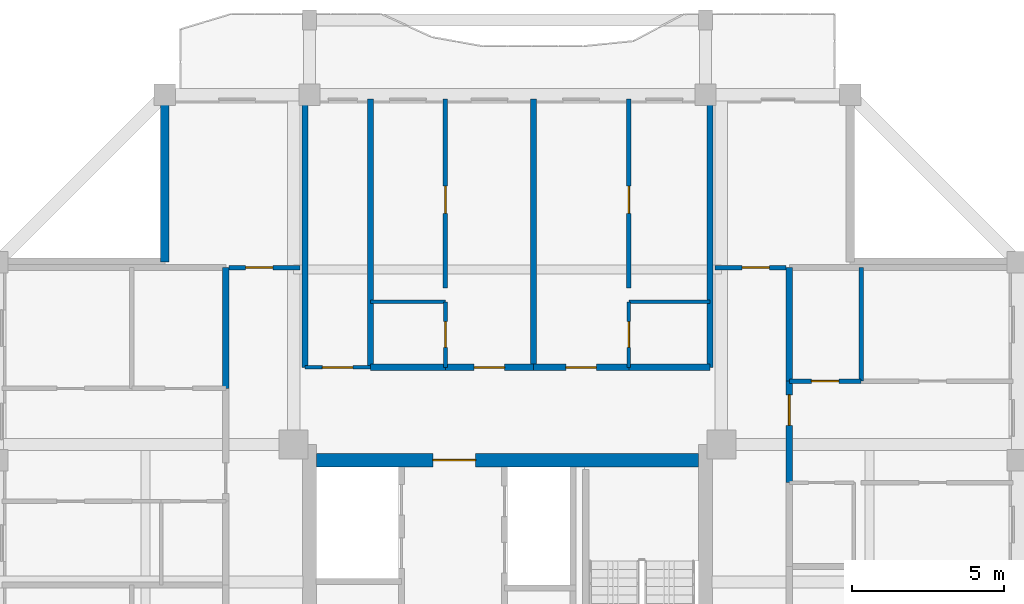
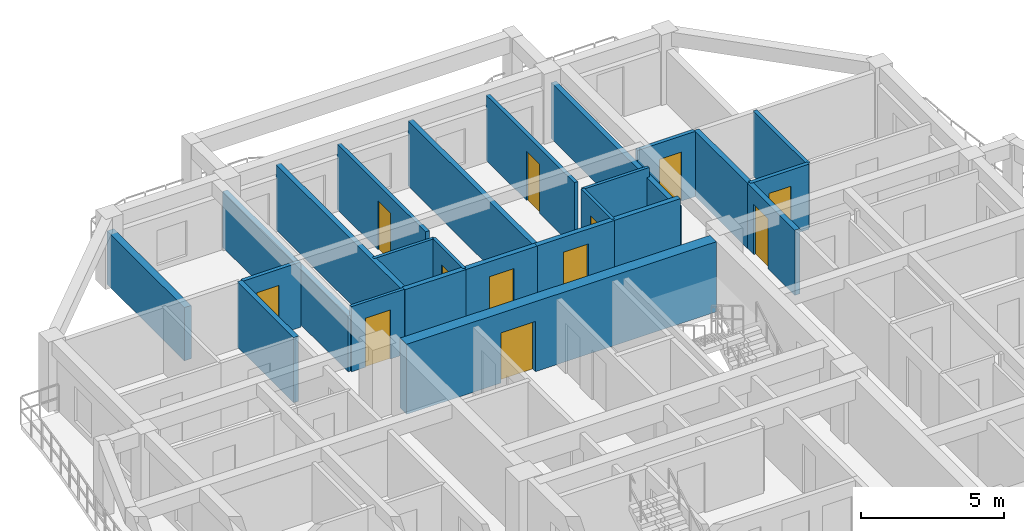
# One storey, part 6 of 13: 24 walls, 12 doors, 12 openings.
"""IFC4 building model written with IfcOpenShell, lengths in metres."""

from ifc_helpers import new_model, si_unit, direction, frame, frame_2d, origin, place, context, subcontext, project, spatial, rectangle, extrude, source, transform, mapped, material, layer, layer_set, type_object, element, fill, save


model = new_model("IFC4")

# Units and contexts
model_context = context("Model", 3, precision=1e-05, world=origin(), true_north=direction((0.0, 1.0)))
body_context = subcontext(model_context, "Body", "Model", "MODEL_VIEW")
ifc_project = project(units=[si_unit("LENGTHUNIT", "METRE"), si_unit("AREAUNIT", "SQUARE_METRE"), si_unit("VOLUMEUNIT", "CUBIC_METRE"), si_unit("PLANEANGLEUNIT", "RADIAN"), si_unit("MASSUNIT", "GRAM", prefix="KILO")], contexts=[model_context])

# Site, building, storey
site_placement = place(None, origin())
site = spatial("IfcSite", under=ifc_project, at=site_placement, CompositionType="ELEMENT")
building_placement = place(site_placement, origin())
building = spatial("IfcBuilding", under=site, at=building_placement, Name="Saelheon Loggia Tower", CompositionType="ELEMENT")
storey_placement = place(building_placement, frame((0.0, 0.0, 220.199951171875)))
storey = spatial("IfcBuildingStorey", under=building, at=storey_placement, Name="L68", CompositionType="ELEMENT", Elevation=220.199951171875)

# Wall, opening, door
ifc_material_1 = material(Name="Concrete C45/55", Category="concrete")
ifc_layer_1 = layer(ifc_material_1, 0.449951171875)
ifc_layer_set_1 = layer_set([ifc_layer_1], Name="Concrete C45/55")
wall_type_1 = type_object("IfcWallType", Name="Wall_CoreShear_450", PredefinedType="SHEAR", material=ifc_layer_set_1)
wall_1_placement = place(storey_placement, frame((31.72509765625, 36.0, 0.0), z_axis=(0.0, 0.0, 1.0), x_axis=(1.0, 0.0, 0.0)))
wall_1 = element("IfcWall", 1, at=wall_1_placement, inside=storey, type_object=wall_type_1, Name="L68 Core Shear Wall North", PredefinedType="SHEAR", context=body_context, shape_type="SweptSolid", body=[
    extrude(rectangle(XDim=12.5498046875, YDim=0.449951171875, at=frame_2d((6.27490234375, 0.0))), origin(), (0.0, 0.0, 1.0), 3.0),
])
opening_1_placement = place(wall_1_placement, frame((5.224853515625, 0.0, 0.0), z_axis=(0.0, 0.0, 1.0), x_axis=(-1.0, 0.0, 0.0)))
opening_1 = element("IfcOpeningElement", 2, at=opening_1_placement, cuts=wall_1, Name="Opening D-FD2L", PredefinedType="OPENING", context=body_context, shape_type="SweptSolid", body=[
    extrude(rectangle(XDim=1.39990234375, YDim=2.14990234375, at=frame_2d((0.699951171875, 1.074951171875))), frame((0.0, 0.237060546875, 0.0), z_axis=(0.0, -1.0, 0.0), x_axis=(1.0, 0.0, 0.0)), (0.0, 0.0, 1.0), 0.473876953125),
])
ifc_material_2 = material(Name="Galvanised Steel Glazed Lobby Fire Door", Category="steel")
door_type_1 = type_object("IfcDoorType", Name="Door_Fire_FD60_1400", OperationType="NOTDEFINED", PredefinedType="DOOR", material=ifc_material_2)
shared_shape_1 = source(origin(), body_context, "Body", "SweptSolid", [
    extrude(rectangle(XDim=1.39990234375, YDim=2.14990234375, at=frame_2d((0.699951171875, 1.074951171875))), frame((0.0, 0.02490234375, 0.0), z_axis=(0.0, -1.0, 0.0), x_axis=(1.0, 0.0, 0.0)), (0.0, 0.0, 1.0), 0.050048828125),
])
door_1_placement = place(opening_1_placement, origin())
door_1 = element("IfcDoor", 3, at=door_1_placement, inside=storey, type_object=door_type_1, Name="L68 Passenger Lift Lobby Main Door", OperationType="SINGLE_SWING_RIGHT", OverallHeight=2.14990234375, OverallWidth=1.39990234375, PredefinedType="DOOR", context=body_context, shape_type="MappedRepresentation", body=[
    mapped(shared_shape_1, transform((0.0, 0.0, 0.0), scale=1.0)),
])
fill(opening_1, door_1)

# Wall
ifc_material_3 = material(Name="Architectural Precast Concrete C40/50", Category="concrete")
ifc_layer_2 = layer(ifc_material_3, 0.280029296875)
ifc_layer_set_2 = layer_set([ifc_layer_2], Name="Architectural Precast Concrete C40/50")
wall_type_2 = type_object("IfcWallType", Name="Wall_Ext_Loggia_280", PredefinedType="SOLIDWALL", material=ifc_layer_set_2)
wall_2_placement = place(storey_placement, frame((26.75, 42.5, 0.0), z_axis=(0.0, 0.0, 1.0), x_axis=(0.0, 1.0, 0.0)))
element("IfcWall", 4, at=wall_2_placement, inside=storey, type_object=wall_type_2, Name="L68 Corner Notch Precast Wall NW1", PredefinedType="SOLIDWALL", context=body_context, shape_type="SweptSolid", body=[
    extrude(rectangle(XDim=5.419921875, YDim=0.280029296875, at=frame_2d((2.7099609375, 0.0))), origin(), (0.0, 0.0, 1.0), 2.280029296875),
])

# Wall, opening, door
ifc_material_4 = material(Name="Lightweight Autoclaved Aerated Concrete Block and Acoustic Gypsum", Category="concrete")
ifc_layer_3 = layer(ifc_material_4, 0.14990234375)
ifc_layer_set_3 = layer_set([ifc_layer_3], Name="Lightweight Autoclaved Aerated Concrete Block and Acoustic Gypsum")
wall_type_3 = type_object("IfcWallType", Name="Wall_Part_150", PredefinedType="PARTITIONING", material=ifc_layer_set_3)
wall_3_placement = place(storey_placement, frame((28.85009765625, 42.320068359375, 0.0), z_axis=(0.0, 0.0, 1.0), x_axis=(1.0, 0.0, 0.0)))
wall_3 = element("IfcWall", 5, at=wall_3_placement, inside=storey, type_object=wall_type_3, Name="PW-L68-CNW-H", PredefinedType="PARTITIONING", context=body_context, shape_type="SweptSolid", body=[
    extrude(rectangle(XDim=2.329833984375, YDim=0.14990234375, at=frame_2d((1.1650390625, 0.0))), origin(), (0.0, 0.0, 1.0), 2.7900390625),
])
opening_2_placement = place(wall_3_placement, frame((0.550048828125, 0.0, 0.0)))
opening_2 = element("IfcOpeningElement", 6, at=opening_2_placement, cuts=wall_3, Name="Opening D-IN2", PredefinedType="OPENING", context=body_context, shape_type="SweptSolid", body=[
    extrude(rectangle(XDim=0.89990234375, YDim=2.10009765625, at=frame_2d((0.449951171875, 1.050048828125))), frame((0.0, 0.0869140625, 0.0), z_axis=(0.0, -1.0, 0.0), x_axis=(1.0, 0.0, 0.0)), (0.0, 0.0, 1.0), 0.173828125),
])
ifc_material_5 = material(Name="Engineered Oak Flush Door", Category="timber")
door_type_2 = type_object("IfcDoorType", Name="Door_Int_900", OperationType="NOTDEFINED", PredefinedType="DOOR", material=ifc_material_5)
shared_shape_2 = source(origin(), body_context, "Body", "SweptSolid", [
    extrude(rectangle(XDim=0.89990234375, YDim=2.10009765625, at=frame_2d((0.449951171875, 1.050048828125))), frame((0.0, 0.02490234375, 0.0), z_axis=(0.0, -1.0, 0.0), x_axis=(1.0, 0.0, 0.0)), (0.0, 0.0, 1.0), 0.050048828125),
])
door_2_placement = place(opening_2_placement, origin())
door_2 = element("IfcDoor", 7, at=door_2_placement, inside=storey, type_object=door_type_2, Name="L68 Corner Home Office NW Door", OperationType="SINGLE_SWING_LEFT", OverallHeight=2.10009765625, OverallWidth=0.89990234375, PredefinedType="DOOR", context=body_context, shape_type="MappedRepresentation", body=[
    mapped(shared_shape_2, transform((0.0, 0.0, 0.0), scale=1.0)),
])
fill(opening_2, door_2)

wall_4_placement = place(storey_placement, frame((44.820068359375, 42.320068359375, 0.0), z_axis=(0.0, 0.0, 1.0), x_axis=(1.0, 0.0, 0.0)))
wall_4 = element("IfcWall", 8, at=wall_4_placement, inside=storey, type_object=wall_type_3, Name="PW-L68-CNE-H", PredefinedType="PARTITIONING", context=body_context, shape_type="SweptSolid", body=[
    extrude(rectangle(XDim=2.329833984375, YDim=0.14990234375, at=frame_2d((1.1650390625, 0.0))), origin(), (0.0, 0.0, 1.0), 2.7900390625),
])
opening_3_placement = place(wall_4_placement, frame((0.8798828125, 0.0, 0.0)))
opening_3 = element("IfcOpeningElement", 9, at=opening_3_placement, cuts=wall_4, Name="Opening D-IN2", PredefinedType="OPENING", context=body_context, shape_type="SweptSolid", body=[
    extrude(rectangle(XDim=0.89990234375, YDim=2.10009765625, at=frame_2d((0.449951171875, 1.050048828125))), frame((0.0, 0.0869140625, 0.0), z_axis=(0.0, -1.0, 0.0), x_axis=(1.0, 0.0, 0.0)), (0.0, 0.0, 1.0), 0.173828125),
])
door_3_placement = place(opening_3_placement, origin())
door_3 = element("IfcDoor", 10, at=door_3_placement, inside=storey, type_object=door_type_2, Name="L68 Corner Reading Room NE Door", OperationType="SINGLE_SWING_LEFT", OverallHeight=2.10009765625, OverallWidth=0.89990234375, PredefinedType="DOOR", context=body_context, shape_type="MappedRepresentation", body=[
    mapped(shared_shape_2, transform((0.0, 0.0, 0.0), scale=1.0)),
])
fill(opening_3, door_3)

wall_5_placement = place(storey_placement, frame((35.9619140625, 41.64990234375, 0.0), z_axis=(0.0, 0.0, 1.0), x_axis=(0.0, 1.0, 0.0)))
wall_5 = element("IfcWall", 11, at=wall_5_placement, inside=storey, type_object=wall_type_3, Name="L68 N Partition U09", PredefinedType="PARTITIONING", context=body_context, shape_type="SweptSolid", body=[
    extrude(rectangle(XDim=6.2001953125, YDim=0.14990234375, at=frame_2d((3.10009765625, 0.0))), origin(), (0.0, 0.0, 1.0), 2.7900390625),
])
opening_4_placement = place(wall_5_placement, frame((2.44921875, 0.0, 0.0)))
opening_4 = element("IfcOpeningElement", 12, at=opening_4_placement, cuts=wall_5, Name="Opening D-IN2", PredefinedType="OPENING", context=body_context, shape_type="SweptSolid", body=[
    extrude(rectangle(XDim=0.89990234375, YDim=2.10009765625, at=frame_2d((0.449951171875, 1.050048828125))), frame((0.0, 0.0869140625, 0.0), z_axis=(0.0, -1.0, 0.0), x_axis=(1.0, 0.0, 0.0)), (0.0, 0.0, 1.0), 0.173828125),
])
door_4_placement = place(opening_4_placement, origin())
door_4 = element("IfcDoor", 13, at=door_4_placement, inside=storey, type_object=door_type_2, Name="Unit U03 Kitchen Door", OperationType="SINGLE_SWING_LEFT", OverallHeight=2.10009765625, OverallWidth=0.89990234375, PredefinedType="DOOR", context=body_context, shape_type="MappedRepresentation", body=[
    mapped(shared_shape_2, transform((0.0, 0.0, 0.0), scale=1.0)),
])
fill(opening_4, door_4)

wall_6_placement = place(storey_placement, frame((41.98291015625, 41.64990234375, 0.0), z_axis=(0.0, 0.0, 1.0), x_axis=(0.0, 1.0, 0.0)))
wall_6 = element("IfcWall", 14, at=wall_6_placement, inside=storey, type_object=wall_type_3, Name="L68 N Partition U15", PredefinedType="PARTITIONING", context=body_context, shape_type="SweptSolid", body=[
    extrude(rectangle(XDim=6.2001953125, YDim=0.14990234375, at=frame_2d((3.10009765625, 0.0))), origin(), (0.0, 0.0, 1.0), 2.7900390625),
])
opening_5_placement = place(wall_6_placement, frame((2.44921875, 0.0, 0.0)))
opening_5 = element("IfcOpeningElement", 15, at=opening_5_placement, cuts=wall_6, Name="Opening D-IN2", PredefinedType="OPENING", context=body_context, shape_type="SweptSolid", body=[
    extrude(rectangle(XDim=0.89990234375, YDim=2.10009765625, at=frame_2d((0.449951171875, 1.050048828125))), frame((0.0, 0.0869140625, 0.0), z_axis=(0.0, -1.0, 0.0), x_axis=(1.0, 0.0, 0.0)), (0.0, 0.0, 1.0), 0.173828125),
])
door_5_placement = place(opening_5_placement, origin())
door_5 = element("IfcDoor", 16, at=door_5_placement, inside=storey, type_object=door_type_2, Name="Unit U04 Kitchen Door", OperationType="SINGLE_SWING_RIGHT", OverallHeight=2.10009765625, OverallWidth=0.89990234375, PredefinedType="DOOR", context=body_context, shape_type="MappedRepresentation", body=[
    mapped(shared_shape_2, transform((0.0, 0.0, 0.0), scale=1.0)),
])
fill(opening_5, door_5)

# Wall
wall_7_placement = place(storey_placement, frame((49.610107421875, 38.59423828125, 0.0), z_axis=(0.0, 0.0, 1.0), x_axis=(0.0, 1.0, 0.0)))
element("IfcWall", 17, at=wall_7_placement, inside=storey, type_object=wall_type_3, Name="L68 E Partition V27", PredefinedType="PARTITIONING", context=body_context, shape_type="SweptSolid", body=[
    extrude(rectangle(XDim=3.725830078125, YDim=0.14990234375, at=frame_2d((1.86279296875, 0.0))), origin(), (0.0, 0.0, 1.0), 2.7900390625),
])

# Wall, opening, door
wall_8_placement = place(storey_placement, frame((47.25, 38.59423828125, 0.0), z_axis=(0.0, 0.0, 1.0), x_axis=(1.0, 0.0, 0.0)))
wall_8 = element("IfcWall", 18, at=wall_8_placement, inside=storey, type_object=wall_type_3, Name="L68 E Partition U30", PredefinedType="PARTITIONING", context=body_context, shape_type="SweptSolid", body=[
    extrude(rectangle(XDim=2.360107421875, YDim=0.14990234375, at=frame_2d((1.18017578125, 0.0))), origin(), (0.0, 0.0, 1.0), 2.7900390625),
])
opening_6_placement = place(wall_8_placement, frame((0.72998046875, 0.0, 0.0)))
opening_6 = element("IfcOpeningElement", 19, at=opening_6_placement, cuts=wall_8, Name="Opening D-IN2", PredefinedType="OPENING", context=body_context, shape_type="SweptSolid", body=[
    extrude(rectangle(XDim=0.89990234375, YDim=2.10009765625, at=frame_2d((0.449951171875, 1.050048828125))), frame((0.0, 0.0869140625, 0.0), z_axis=(0.0, -1.0, 0.0), x_axis=(1.0, 0.0, 0.0)), (0.0, 0.0, 1.0), 0.173828125),
])
door_6_placement = place(opening_6_placement, origin())
door_6 = element("IfcDoor", 20, at=door_6_placement, inside=storey, type_object=door_type_2, Name="Unit U10 Dressing Closet Door", OperationType="SINGLE_SWING_LEFT", OverallHeight=2.10009765625, OverallWidth=0.89990234375, PredefinedType="DOOR", context=body_context, shape_type="MappedRepresentation", body=[
    mapped(shared_shape_2, transform((0.0, 0.0, 0.0), scale=1.0)),
])
fill(opening_6, door_6)

# Walls
ifc_material_6 = material(Name="Double Acoustic Stud and Fireboard Partition", Category="gypsum")
ifc_layer_4 = layer(ifc_material_6, 0.199951171875)
ifc_layer_set_4 = layer_set([ifc_layer_4], Name="Double Acoustic Stud and Fireboard Partition")
wall_type_4 = type_object("IfcWallType", Name="Wall_Party_200", PredefinedType="PARTITIONING", material=ifc_layer_set_4)
for number, where, z_axis, x_axis, name in (
    (21, (31.35009765625, 39.050048828125, 0.0), (0.0, 0.0, 1.0), (0.0, 1.0, 0.0), "L68 N Partition U01"),
    (22, (44.64990234375, 39.050048828125, 0.0), (0.0, 0.0, 1.0), (0.0, 1.0, 0.0), "L68 N Partition U02"),
):
    element("IfcWall", number, at=place(storey_placement, frame(where, z_axis=z_axis, x_axis=x_axis)), inside=storey, type_object=wall_type_4, Name=name, PredefinedType="PARTITIONING", context=body_context, shape_type="SweptSolid", body=[
        extrude(rectangle(XDim=8.800048828125, YDim=0.199951171875, at=frame_2d((4.39990234375, 0.0))), origin(), (0.0, 0.0, 1.0), 2.39013671875),
    ])
wall_9_placement = place(storey_placement, frame((33.5, 39.050048828125, 0.0), z_axis=(0.0, 0.0, 1.0), x_axis=(0.0, 1.0, 0.0)))
element("IfcWall", 23, at=wall_9_placement, inside=storey, type_object=wall_type_4, Name="L68 N Partition U03", PredefinedType="PARTITIONING", context=body_context, shape_type="SweptSolid", body=[
    extrude(rectangle(XDim=8.800048828125, YDim=0.199951171875, at=frame_2d((4.39990234375, 0.0))), origin(), (0.0, 0.0, 1.0), 2.7900390625),
])
wall_10_placement = place(storey_placement, frame((33.5, 39.050048828125, 0.0), z_axis=(0.0, 0.0, 1.0), x_axis=(1.0, 0.0, 0.0)))
element("IfcWall", 24, at=wall_10_placement, inside=storey, type_object=wall_type_4, Name="L68 N Partition V05", PredefinedType="PARTITIONING", context=body_context, shape_type="SweptSolid", body=[
    extrude(rectangle(XDim=2.4619140625, YDim=0.199951171875, at=frame_2d((1.23095703125, 0.0))), origin(), (0.0, 0.0, 1.0), 2.7900390625),
])

# Wall, opening, door
wall_11_placement = place(storey_placement, frame((35.9619140625, 39.050048828125, 0.0), z_axis=(0.0, 0.0, 1.0), x_axis=(1.0, 0.0, 0.0)))
wall_11 = element("IfcWall", 25, at=wall_11_placement, inside=storey, type_object=wall_type_4, Name="L68 N Partition V06", PredefinedType="PARTITIONING", context=body_context, shape_type="SweptSolid", body=[
    extrude(rectangle(XDim=2.89013671875, YDim=0.199951171875, at=frame_2d((1.445068359375, 0.0))), origin(), (0.0, 0.0, 1.0), 2.7900390625),
])
opening_7_placement = place(wall_11_placement, frame((0.945068359375, 0.0, 0.0)))
opening_7 = element("IfcOpeningElement", 26, at=opening_7_placement, cuts=wall_11, Name="Opening D-FD1", PredefinedType="OPENING", context=body_context, shape_type="SweptSolid", body=[
    extrude(rectangle(XDim=1.0, YDim=2.14990234375, at=frame_2d((0.5, 1.074951171875))), frame((0.0, 0.112060546875, 0.0), z_axis=(0.0, -1.0, 0.0), x_axis=(1.0, 0.0, 0.0)), (0.0, 0.0, 1.0), 0.223876953125),
])
ifc_material_7 = material(Name="Fire-Rated Engineered Timber Entrance Door", Category="wood")
door_type_3 = type_object("IfcDoorType", Name="Door_Flat_FD30S", OperationType="NOTDEFINED", PredefinedType="DOOR", material=ifc_material_7)
shared_shape_3 = source(origin(), body_context, "Body", "SweptSolid", [
    extrude(rectangle(XDim=1.0, YDim=2.14990234375, at=frame_2d((0.5, 1.074951171875))), frame((0.0, 0.02490234375, 0.0), z_axis=(0.0, -1.0, 0.0), x_axis=(1.0, 0.0, 0.0)), (0.0, 0.0, 1.0), 0.050048828125),
])
door_7_placement = place(opening_7_placement, origin())
door_7 = element("IfcDoor", 27, at=door_7_placement, inside=storey, type_object=door_type_3, Name="Unit U03 Entrance Door", OperationType="SINGLE_SWING_LEFT", OverallHeight=2.14990234375, OverallWidth=1.0, PredefinedType="DOOR", context=body_context, shape_type="MappedRepresentation", body=[
    mapped(shared_shape_3, transform((0.0, 0.0, 0.0), scale=1.0)),
])
fill(opening_7, door_7)

# Wall
wall_12_placement = place(storey_placement, frame((38.85205078125, 39.050048828125, 0.0), z_axis=(0.0, 0.0, 1.0), x_axis=(0.0, 1.0, 0.0)))
element("IfcWall", 28, at=wall_12_placement, inside=storey, type_object=wall_type_4, Name="L68 N Partition U10", PredefinedType="PARTITIONING", context=body_context, shape_type="SweptSolid", body=[
    extrude(rectangle(XDim=8.800048828125, YDim=0.199951171875, at=frame_2d((4.39990234375, 0.0))), origin(), (0.0, 0.0, 1.0), 2.7900390625),
])

# Wall, opening, door
wall_13_placement = place(storey_placement, frame((38.85205078125, 39.050048828125, 0.0), z_axis=(0.0, 0.0, 1.0), x_axis=(1.0, 0.0, 0.0)))
wall_13 = element("IfcWall", 29, at=wall_13_placement, inside=storey, type_object=wall_type_4, Name="L68 N Partition V11", PredefinedType="PARTITIONING", context=body_context, shape_type="SweptSolid", body=[
    extrude(rectangle(XDim=3.130859375, YDim=0.199951171875, at=frame_2d((1.5654296875, 0.0))), origin(), (0.0, 0.0, 1.0), 2.7900390625),
])
opening_8_placement = place(wall_13_placement, frame((1.0654296875, 0.0, 0.0)))
opening_8 = element("IfcOpeningElement", 30, at=opening_8_placement, cuts=wall_13, Name="Opening D-FD1", PredefinedType="OPENING", context=body_context, shape_type="SweptSolid", body=[
    extrude(rectangle(XDim=1.0, YDim=2.14990234375, at=frame_2d((0.5, 1.074951171875))), frame((0.0, 0.112060546875, 0.0), z_axis=(0.0, -1.0, 0.0), x_axis=(1.0, 0.0, 0.0)), (0.0, 0.0, 1.0), 0.223876953125),
])
door_8_placement = place(opening_8_placement, origin())
door_8 = element("IfcDoor", 31, at=door_8_placement, inside=storey, type_object=door_type_3, Name="Unit U04 Entrance Door", OperationType="SINGLE_SWING_RIGHT", OverallHeight=2.14990234375, OverallWidth=1.0, PredefinedType="DOOR", context=body_context, shape_type="MappedRepresentation", body=[
    mapped(shared_shape_3, transform((0.0, 0.0, 0.0), scale=1.0)),
])
fill(opening_8, door_8)

# Walls
wall_14_placement = place(storey_placement, frame((41.98291015625, 39.050048828125, 0.0), z_axis=(0.0, 0.0, 1.0), x_axis=(1.0, 0.0, 0.0)))
element("IfcWall", 32, at=wall_14_placement, inside=storey, type_object=wall_type_4, Name="L68 N Partition V12", PredefinedType="PARTITIONING", context=body_context, shape_type="SweptSolid", body=[
    extrude(rectangle(XDim=2.6669921875, YDim=0.199951171875, at=frame_2d((1.33349609375, 0.0))), origin(), (0.0, 0.0, 1.0), 2.7900390625),
])
wall_15_placement = place(storey_placement, frame((28.75, 38.361328125, 0.0), z_axis=(0.0, 0.0, 1.0), x_axis=(0.0, 1.0, 0.0)))
element("IfcWall", 33, at=wall_15_placement, inside=storey, type_object=wall_type_4, Name="L68 W Partition V27", PredefinedType="PARTITIONING", context=body_context, shape_type="SweptSolid", body=[
    extrude(rectangle(XDim=3.958740234375, YDim=0.199951171875, at=frame_2d((1.9794921875, 0.0))), origin(), (0.0, 0.0, 1.0), 2.7900390625),
])

# Wall, opening, door
wall_16_placement = place(storey_placement, frame((47.25, 35.260498046875, 0.0), z_axis=(0.0, 0.0, 1.0), x_axis=(0.0, 1.0, 0.0)))
wall_16 = element("IfcWall", 34, at=wall_16_placement, inside=storey, type_object=wall_type_4, Name="L68 E Partition V24", PredefinedType="PARTITIONING", context=body_context, shape_type="SweptSolid", body=[
    extrude(rectangle(XDim=3.333740234375, YDim=0.199951171875, at=frame_2d((1.6669921875, 0.0))), origin(), (0.0, 0.0, 1.0), 2.7900390625),
])
opening_9_placement = place(wall_16_placement, frame((1.884765625, 0.0, 0.0)))
opening_9 = element("IfcOpeningElement", 35, at=opening_9_placement, cuts=wall_16, Name="Opening D-FD1", PredefinedType="OPENING", context=body_context, shape_type="SweptSolid", body=[
    extrude(rectangle(XDim=1.0, YDim=2.14990234375, at=frame_2d((0.5, 1.074951171875))), frame((0.0, 0.112060546875, 0.0), z_axis=(0.0, -1.0, 0.0), x_axis=(1.0, 0.0, 0.0)), (0.0, 0.0, 1.0), 0.223876953125),
])
door_9_placement = place(opening_9_placement, origin())
door_9 = element("IfcDoor", 36, at=door_9_placement, inside=storey, type_object=door_type_3, Name="Unit U10 Entrance Door", OperationType="SINGLE_SWING_RIGHT", OverallHeight=2.14990234375, OverallWidth=1.0, PredefinedType="DOOR", context=body_context, shape_type="MappedRepresentation", body=[
    mapped(shared_shape_3, transform((0.0, 0.0, 0.0), scale=1.0)),
])
fill(opening_9, door_9)

# Wall
wall_17_placement = place(storey_placement, frame((47.25, 38.59423828125, 0.0), z_axis=(0.0, 0.0, 1.0), x_axis=(0.0, 1.0, 0.0)))
element("IfcWall", 37, at=wall_17_placement, inside=storey, type_object=wall_type_4, Name="L68 E Partition V25", PredefinedType="PARTITIONING", context=body_context, shape_type="SweptSolid", body=[
    extrude(rectangle(XDim=3.725830078125, YDim=0.199951171875, at=frame_2d((1.86279296875, 0.0))), origin(), (0.0, 0.0, 1.0), 2.7900390625),
])

# Wall, opening, door
ifc_material_8 = material(Name="Moisture-Resistant Cement Board Partition", Category="gypsum")
ifc_layer_5 = layer(ifc_material_8, 0.1201171875)
ifc_layer_set_5 = layer_set([ifc_layer_5], Name="Moisture-Resistant Cement Board Partition")
wall_type_5 = type_object("IfcWallType", Name="Wall_WetPart_120", PredefinedType="PARTITIONING", material=ifc_layer_set_5)
wall_18_placement = place(storey_placement, frame((31.35009765625, 39.050048828125, 0.0), z_axis=(0.0, 0.0, 1.0), x_axis=(1.0, 0.0, 0.0)))
wall_18 = element("IfcWall", 38, at=wall_18_placement, inside=storey, type_object=wall_type_5, Name="L68 N Partition V04", PredefinedType="PARTITIONING", context=body_context, shape_type="SweptSolid", body=[
    extrude(rectangle(XDim=2.14990234375, YDim=0.1201171875, at=frame_2d((1.074951171875, 0.0))), origin(), (0.0, 0.0, 1.0), 2.7900390625),
])
opening_10_placement = place(wall_18_placement, frame((0.574951171875, 0.0, 0.0)))
opening_10 = element("IfcOpeningElement", 39, at=opening_10_placement, cuts=wall_18, Name="Opening D-AC1", PredefinedType="OPENING", context=body_context, shape_type="SweptSolid", body=[
    extrude(rectangle(XDim=1.0, YDim=2.10009765625, at=frame_2d((0.5, 1.050048828125))), frame((0.0, 0.072021484375, 0.0), z_axis=(0.0, -1.0, 0.0), x_axis=(1.0, 0.0, 0.0)), (0.0, 0.0, 1.0), 0.14404296875),
])
ifc_material_9 = material(Name="Accessible Laminate Flush Door", Category="timber")
door_type_4 = type_object("IfcDoorType", Name="Door_Acc_1000", OperationType="NOTDEFINED", PredefinedType="DOOR", material=ifc_material_9)
shared_shape_4 = source(origin(), body_context, "Body", "SweptSolid", [
    extrude(rectangle(XDim=1.0, YDim=2.10009765625, at=frame_2d((0.5, 1.050048828125))), frame((0.0, 0.02490234375, 0.0), z_axis=(0.0, -1.0, 0.0), x_axis=(1.0, 0.0, 0.0)), (0.0, 0.0, 1.0), 0.050048828125),
])
door_10_placement = place(opening_10_placement, origin())
door_10 = element("IfcDoor", 40, at=door_10_placement, inside=storey, type_object=door_type_4, Name="L68 Floor Accessible WC Door", OperationType="SINGLE_SWING_RIGHT", OverallHeight=2.10009765625, OverallWidth=1.0, PredefinedType="DOOR", context=body_context, shape_type="MappedRepresentation", body=[
    mapped(shared_shape_4, transform((0.0, 0.0, 0.0), scale=1.0)),
])
fill(opening_10, door_10)

wall_19_placement = place(storey_placement, frame((35.9619140625, 39.050048828125, 0.0), z_axis=(0.0, 0.0, 1.0), x_axis=(0.0, 1.0, 0.0)))
wall_19 = element("IfcWall", 41, at=wall_19_placement, inside=storey, type_object=wall_type_5, Name="L68 N Partition U07", PredefinedType="PARTITIONING", context=body_context, shape_type="SweptSolid", body=[
    extrude(rectangle(XDim=2.14990234375, YDim=0.1201171875, at=frame_2d((1.074951171875, 0.0))), origin(), (0.0, 0.0, 1.0), 2.7900390625),
])
opening_11_placement = place(wall_19_placement, frame((0.64990234375, 0.0, 0.0)))
opening_11 = element("IfcOpeningElement", 42, at=opening_11_placement, cuts=wall_19, Name="Opening D-BT1", PredefinedType="OPENING", context=body_context, shape_type="SweptSolid", body=[
    extrude(rectangle(XDim=0.85009765625, YDim=2.050048828125, at=frame_2d((0.425048828125, 1.02490234375))), frame((0.0, 0.072021484375, 0.0), z_axis=(0.0, -1.0, 0.0), x_axis=(1.0, 0.0, 0.0)), (0.0, 0.0, 1.0), 0.14404296875),
])
ifc_material_10 = material(Name="Moisture-Resistant Laminate Timber Door", Category="wood")
door_type_5 = type_object("IfcDoorType", Name="Door_Bath_850", OperationType="NOTDEFINED", PredefinedType="DOOR", material=ifc_material_10)
shared_shape_5 = source(origin(), body_context, "Body", "SweptSolid", [
    extrude(rectangle(XDim=0.85009765625, YDim=2.050048828125, at=frame_2d((0.425048828125, 1.02490234375))), frame((0.0, 0.02490234375, 0.0), z_axis=(0.0, -1.0, 0.0), x_axis=(1.0, 0.0, 0.0)), (0.0, 0.0, 1.0), 0.050048828125),
])
door_11_placement = place(opening_11_placement, origin())
door_11 = element("IfcDoor", 43, at=door_11_placement, inside=storey, type_object=door_type_5, Name="Unit U03 Bathroom Door", OperationType="SINGLE_SWING_RIGHT", OverallHeight=2.050048828125, OverallWidth=0.85009765625, PredefinedType="DOOR", context=body_context, shape_type="MappedRepresentation", body=[
    mapped(shared_shape_5, transform((0.0, 0.0, 0.0), scale=1.0)),
])
fill(opening_11, door_11)

# Wall
wall_20_placement = place(storey_placement, frame((33.5, 41.199951171875, 0.0), z_axis=(0.0, 0.0, 1.0), x_axis=(1.0, 0.0, 0.0)))
element("IfcWall", 44, at=wall_20_placement, inside=storey, type_object=wall_type_5, Name="L68 N Partition V08", PredefinedType="PARTITIONING", context=body_context, shape_type="SweptSolid", body=[
    extrude(rectangle(XDim=2.4619140625, YDim=0.1201171875, at=frame_2d((1.23095703125, 0.0))), origin(), (0.0, 0.0, 1.0), 2.7900390625),
])

# Wall, opening, door
wall_21_placement = place(storey_placement, frame((41.98291015625, 39.050048828125, 0.0), z_axis=(0.0, 0.0, 1.0), x_axis=(0.0, 1.0, 0.0)))
wall_21 = element("IfcWall", 45, at=wall_21_placement, inside=storey, type_object=wall_type_5, Name="L68 N Partition U13", PredefinedType="PARTITIONING", context=body_context, shape_type="SweptSolid", body=[
    extrude(rectangle(XDim=2.14990234375, YDim=0.1201171875, at=frame_2d((1.074951171875, 0.0))), origin(), (0.0, 0.0, 1.0), 2.7900390625),
])
opening_12_placement = place(wall_21_placement, frame((0.64990234375, 0.0, 0.0)))
opening_12 = element("IfcOpeningElement", 46, at=opening_12_placement, cuts=wall_21, Name="Opening D-BT1", PredefinedType="OPENING", context=body_context, shape_type="SweptSolid", body=[
    extrude(rectangle(XDim=0.85009765625, YDim=2.050048828125, at=frame_2d((0.425048828125, 1.02490234375))), frame((0.0, 0.072021484375, 0.0), z_axis=(0.0, -1.0, 0.0), x_axis=(1.0, 0.0, 0.0)), (0.0, 0.0, 1.0), 0.14404296875),
])
door_12_placement = place(opening_12_placement, origin())
door_12 = element("IfcDoor", 47, at=door_12_placement, inside=storey, type_object=door_type_5, Name="Unit U04 Bathroom Door", OperationType="SINGLE_SWING_LEFT", OverallHeight=2.050048828125, OverallWidth=0.85009765625, PredefinedType="DOOR", context=body_context, shape_type="MappedRepresentation", body=[
    mapped(shared_shape_5, transform((0.0, 0.0, 0.0), scale=1.0)),
])
fill(opening_12, door_12)

# Wall
wall_22_placement = place(storey_placement, frame((41.98291015625, 41.199951171875, 0.0), z_axis=(0.0, 0.0, 1.0), x_axis=(1.0, 0.0, 0.0)))
element("IfcWall", 48, at=wall_22_placement, inside=storey, type_object=wall_type_5, Name="L68 N Partition V14", PredefinedType="PARTITIONING", context=body_context, shape_type="SweptSolid", body=[
    extrude(rectangle(XDim=2.6669921875, YDim=0.1201171875, at=frame_2d((1.33349609375, 0.0))), origin(), (0.0, 0.0, 1.0), 2.7900390625),
])

save(model, "model.ifc")
